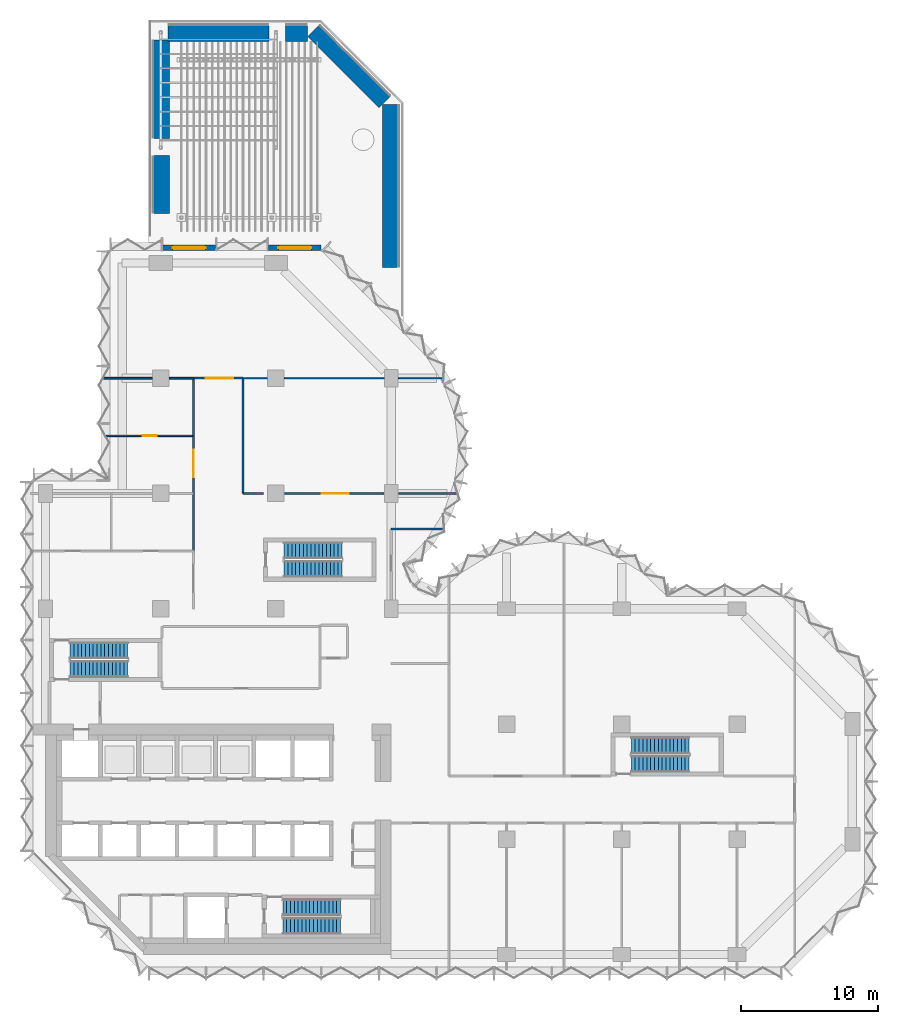
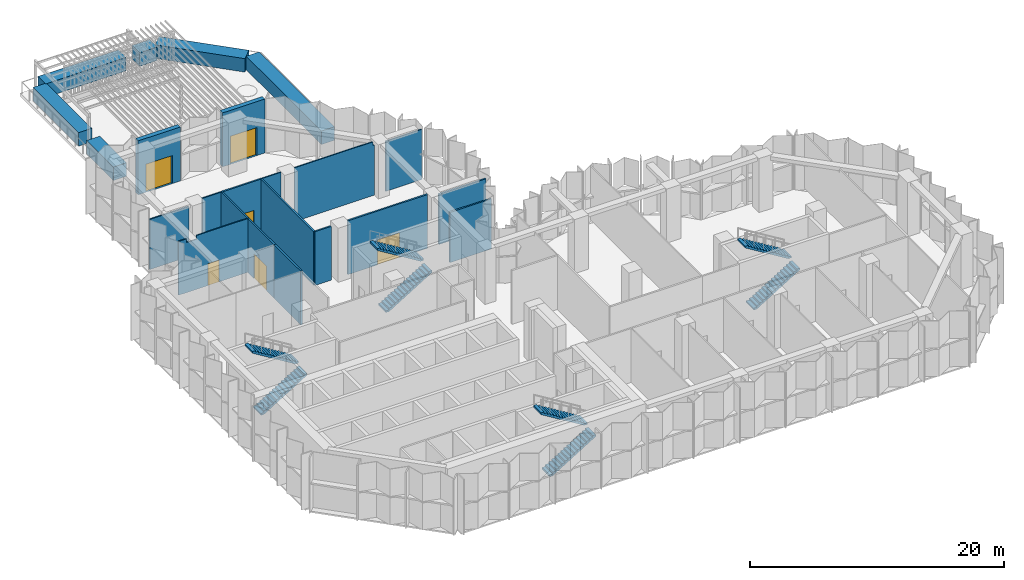
# One storey, part 11 of 15: 23 walls, 8 stair flights, 6 doors, 6 openings, 4 elements without a shape of their own.
"""IFC4 building model written with IfcOpenShell, lengths in metres."""

from ifc_helpers import new_model, si_unit, direction, frame, frame_2d, origin, place, context, subcontext, project, spatial, polyline, rectangle, outline, extrude, material, layer, layer_set, type_object, element, fill, aggregate, save


model = new_model("IFC4")

# Units and contexts
model_context = context("Model", 3, precision=1e-05, world=origin(), true_north=direction((0.0, 1.0)))
body_context = subcontext(model_context, "Body", "Model", "MODEL_VIEW")
ifc_project = project(units=[si_unit("LENGTHUNIT", "METRE"), si_unit("AREAUNIT", "SQUARE_METRE"), si_unit("VOLUMEUNIT", "CUBIC_METRE"), si_unit("PLANEANGLEUNIT", "RADIAN"), si_unit("MASSUNIT", "GRAM", prefix="KILO")], contexts=[model_context])

# Site, building, storey
site_placement = place(None, origin())
site = spatial("IfcSite", under=ifc_project, at=site_placement, CompositionType="ELEMENT")
building_placement = place(site_placement, origin())
building = spatial("IfcBuilding", under=site, at=building_placement, Name="Brevane Broadcast Tower", CompositionType="ELEMENT")
storey_placement = place(building_placement, frame((0.0, 0.0, 156.5)))
storey = spatial("IfcBuildingStorey", under=building, at=storey_placement, Name="L39", CompositionType="ELEMENT", Elevation=156.5)

# Wall, opening, door
ifc_material_1 = material(Name="Concrete C40/50", Category="concrete")
ifc_layer_1 = layer(ifc_material_1, 0.39990234375)
ifc_layer_set_1 = layer_set([ifc_layer_1], Name="Entrance portal wall 400")
wall_type_1 = type_object("IfcWallType", Name="Entrance portal wall 400", PredefinedType="SOLIDWALL", material=ifc_layer_set_1)
wall_1_placement = place(storey_placement, frame((16.25, 51.5, 0.0), z_axis=(0.0, 0.0, 1.0), x_axis=(1.0, 0.0, 0.0)))
wall_1 = element("IfcWall", 1, at=wall_1_placement, inside=storey, type_object=wall_type_1, Name="Portal wall terrace door", PredefinedType="SOLIDWALL", context=body_context, shape_type="SweptSolid", body=[
    extrude(rectangle(XDim=3.85009765625, YDim=0.39990234375, at=frame_2d((1.925048828125, 0.0))), origin(), (0.0, 0.0, 1.0), 5.199951171875),
])
opening_1_placement = place(wall_1_placement, frame((0.72509765625, 0.0, 0.0)))
opening_1 = element("IfcOpeningElement", 2, at=opening_1_placement, cuts=wall_1, Name="Opening EX13", PredefinedType="OPENING", context=body_context, shape_type="SweptSolid", body=[
    extrude(rectangle(XDim=2.39990234375, YDim=2.699951171875, at=frame_2d((1.199951171875, 1.35009765625))), frame((0.0, 0.2099609375, 0.0), z_axis=(0.0, -1.0, 0.0), x_axis=(1.0, 0.0, 0.0)), (0.0, 0.0, 1.0), 0.419921875),
])
ifc_material_2 = material(Name="Aluminium bronze anodised and laminated glass", Category="aluminium")
door_type_1 = type_object("IfcDoorType", Name="Terrace door 2400x2700", OperationType="DOUBLE_DOOR_SINGLE_SWING", PredefinedType="DOOR", material=ifc_material_2)
door_1_placement = place(opening_1_placement, origin())
door_1 = element("IfcDoor", 3, at=door_1_placement, inside=storey, type_object=door_type_1, Name="Terrace door", OperationType="DOUBLE_DOOR_SINGLE_SWING", OverallHeight=2.699951171875, OverallWidth=2.39990234375, PredefinedType="DOOR", context=body_context, shape_type="SweptSolid", body=[
    extrude(rectangle(XDim=2.39990234375, YDim=2.699951171875, at=frame_2d((1.199951171875, 1.35009765625))), frame((0.0, 0.02490234375, 0.0), z_axis=(0.0, -1.0, 0.0), x_axis=(1.0, 0.0, 0.0)), (0.0, 0.0, 1.0), 0.050048828125),
])
fill(opening_1, door_1)

wall_2_placement = place(storey_placement, frame((8.550048828125, 51.5, 0.0), z_axis=(0.0, 0.0, 1.0), x_axis=(1.0, 0.0, 0.0)))
wall_2 = element("IfcWall", 4, at=wall_2_placement, inside=storey, type_object=wall_type_1, Name="Portal wall terrace door", PredefinedType="SOLIDWALL", context=body_context, shape_type="SweptSolid", body=[
    extrude(rectangle(XDim=3.849853515625, YDim=0.39990234375, at=frame_2d((1.9248046875, 0.0))), origin(), (0.0, 0.0, 1.0), 5.199951171875),
])
opening_2_placement = place(wall_2_placement, frame((0.72509765625, 0.0, 0.0)))
opening_2 = element("IfcOpeningElement", 5, at=opening_2_placement, cuts=wall_2, Name="Opening EX14", PredefinedType="OPENING", context=body_context, shape_type="SweptSolid", body=[
    extrude(rectangle(XDim=2.39990234375, YDim=2.699951171875, at=frame_2d((1.199951171875, 1.35009765625))), frame((0.0, 0.2099609375, 0.0), z_axis=(0.0, -1.0, 0.0), x_axis=(1.0, 0.0, 0.0)), (0.0, 0.0, 1.0), 0.419921875),
])
door_2_placement = place(opening_2_placement, origin())
door_2 = element("IfcDoor", 6, at=door_2_placement, inside=storey, type_object=door_type_1, Name="Terrace door", OperationType="DOUBLE_DOOR_SINGLE_SWING", OverallHeight=2.699951171875, OverallWidth=2.39990234375, PredefinedType="DOOR", context=body_context, shape_type="SweptSolid", body=[
    extrude(rectangle(XDim=2.39990234375, YDim=2.699951171875, at=frame_2d((1.199951171875, 1.35009765625))), frame((0.0, 0.02490234375, 0.0), z_axis=(0.0, -1.0, 0.0), x_axis=(1.0, 0.0, 0.0)), (0.0, 0.0, 1.0), 0.050048828125),
])
fill(opening_2, door_2)

# Walls
ifc_material_3 = material(Name="Gypsum board partition")
ifc_layer_2 = layer(ifc_material_3, 0.10009765625)
ifc_layer_set_2 = layer_set([ifc_layer_2], Name="PARTITION 100 STUD")
wall_type_2 = type_object("IfcWallType", Name="PARTITION 100 STUD", PredefinedType="PARTITIONING", material=ifc_layer_set_2)
wall_3_placement = place(storey_placement, frame((29.011474609375, 42.0, 0.0), z_axis=(0.0, 0.0, 1.0), x_axis=(-1.0, 0.0, 0.0)))
element("IfcWall", 7, at=wall_3_placement, inside=storey, type_object=wall_type_2, Name="Partition S1-043", PredefinedType="PARTITIONING", context=body_context, shape_type="SweptSolid", body=[
    extrude(rectangle(XDim=3.29150390625, YDim=0.10009765625, at=frame_2d((1.645751953125, 0.0))), origin(), (0.0, 0.0, 1.0), 4.830078125),
])
wall_4_placement = place(storey_placement, frame((24.679931640625, 42.0, 0.0), z_axis=(0.0, 0.0, 1.0), x_axis=(-1.0, 0.0, 0.0)))
element("IfcWall", 8, at=wall_4_placement, inside=storey, type_object=wall_type_2, Name="Partition S1-044", PredefinedType="PARTITIONING", context=body_context, shape_type="SweptSolid", body=[
    extrude(outline(polyline([(0.0, 0.0), (7.260009765625, 0.0), (7.260009765625, 5.179931640625), (0.145751953125, 5.179931640625), (0.143798828125, 4.830078125), (0.0, 4.830078125), (0.0, 0.0)])), frame((0.0, 0.050048828125, 0.0), z_axis=(0.0, -1.0, 0.0), x_axis=(1.0, 0.0, 0.0)), (0.0, 0.0, 1.0), 0.10009765625),
])
wall_5_placement = place(storey_placement, frame((16.179931640625, 42.0, 0.0), z_axis=(0.0, 0.0, 1.0), x_axis=(-1.0, 0.0, 0.0)))
element("IfcWall", 9, at=wall_5_placement, inside=storey, type_object=wall_type_2, Name="Partition S1-045", PredefinedType="PARTITIONING", context=body_context, shape_type="SweptSolid", body=[
    extrude(rectangle(XDim=1.780029296875, YDim=0.10009765625, at=frame_2d((0.89013671875, 0.0))), origin(), (0.0, 0.0, 1.0), 5.179931640625),
])

# Wall, opening, door
wall_6_placement = place(storey_placement, frame((4.42138671875, 37.800048828125, 0.0), z_axis=(0.0, 0.0, 1.0), x_axis=(1.0, 0.0, 0.0)))
wall_6 = element("IfcWall", 10, at=wall_6_placement, inside=storey, type_object=wall_type_2, Name="Partition S1-053", PredefinedType="PARTITIONING", context=body_context, shape_type="SweptSolid", body=[
    extrude(outline(polyline([(0.0, 0.0), (6.378662109375, 0.0), (6.378662109375, 5.179931640625), (1.628662109375, 5.179931640625), (1.626708984375, 4.830078125), (0.730712890625, 4.830078125), (0.728515625, 5.179931640625), (0.07861328125, 5.179931640625), (0.0, 5.179931640625), (0.0, 0.0)])), frame((0.0, 0.050048828125, 0.0), z_axis=(0.0, -1.0, 0.0), x_axis=(1.0, 0.0, 0.0)), (0.0, 0.0, 1.0), 0.10009765625),
])
opening_3_placement = place(wall_6_placement, frame((2.6787109375, 0.0, 0.0)))
opening_3 = element("IfcOpeningElement", 11, at=opening_3_placement, cuts=wall_6, Name="Opening D19-017", PredefinedType="OPENING", context=body_context, shape_type="SweptSolid", body=[
    extrude(rectangle(XDim=1.0, YDim=2.10009765625, at=frame_2d((0.5, 1.050048828125))), frame((0.0, 0.06005859375, 0.0), z_axis=(0.0, -1.0, 0.0), x_axis=(1.0, 0.0, 0.0)), (0.0, 0.0, 1.0), 0.1201171875),
])
ifc_material_4 = material(Name="Timber door leaf", Category="wood")
door_type_2 = type_object("IfcDoorType", Name="DOOR SINGLE 1000 INTERNAL", OperationType="SINGLE_SWING_LEFT", PredefinedType="DOOR", material=ifc_material_4)
door_3_placement = place(opening_3_placement, origin())
door_3 = element("IfcDoor", 12, at=door_3_placement, inside=storey, type_object=door_type_2, Name="Door D19-017", OperationType="SINGLE_SWING_LEFT", OverallHeight=2.10009765625, OverallWidth=1.0, PredefinedType="DOOR", context=body_context, shape_type="SweptSolid", body=[
    extrude(rectangle(XDim=1.0, YDim=2.10009765625, at=frame_2d((0.5, 1.050048828125))), frame((0.0, 0.02490234375, 0.0), z_axis=(0.0, -1.0, 0.0), x_axis=(1.0, 0.0, 0.0)), (0.0, 0.0, 1.0), 0.050048828125),
])
fill(opening_3, door_3)

# Walls
ifc_layer_3 = layer(ifc_material_3, 0.125)
ifc_layer_set_3 = layer_set([ifc_layer_3], Name="PARTITION 125 ACOUSTIC")
wall_type_3 = type_object("IfcWallType", Name="PARTITION 125 ACOUSTIC", PredefinedType="PARTITIONING", material=ifc_layer_set_3)
wall_7_placement = place(storey_placement, frame((10.800048828125, 42.0, 0.0), z_axis=(0.0, 0.0, 1.0), x_axis=(-1.0, 0.0, 0.0)))
element("IfcWall", 13, at=wall_7_placement, inside=storey, type_object=wall_type_3, Name="Partition S1-041", PredefinedType="PARTITIONING", context=body_context, shape_type="SweptSolid", body=[
    extrude(rectangle(XDim=1.780029296875, YDim=0.125, at=frame_2d((0.89013671875, 0.0))), origin(), (0.0, 0.0, 1.0), 5.179931640625),
])
wall_8_placement = place(storey_placement, frame((7.780029296875, 42.0, 0.0), z_axis=(0.0, 0.0, 1.0), x_axis=(-1.0, 0.0, 0.0)))
element("IfcWall", 14, at=wall_8_placement, inside=storey, type_object=wall_type_3, Name="Partition S1-042", PredefinedType="PARTITIONING", context=body_context, shape_type="SweptSolid", body=[
    extrude(rectangle(XDim=3.540283203125, YDim=0.125, at=frame_2d((1.77001953125, 0.0))), origin(), (0.0, 0.0, 1.0), 4.830078125),
])
ifc_layer_4 = layer(ifc_material_3, 0.14990234375)
ifc_layer_set_4 = layer_set([ifc_layer_4], Name="PARTITION 150 EI 60")
wall_type_4 = type_object("IfcWallType", Name="PARTITION 150 EI 60", PredefinedType="PARTITIONING", material=ifc_layer_set_4)
wall_9_placement = place(storey_placement, frame((25.199951171875, 31.0, 0.0), z_axis=(0.0, 0.0, 1.0), x_axis=(1.0, 0.0, 0.0)))
element("IfcWall", 15, at=wall_9_placement, inside=storey, type_object=wall_type_4, Name="Partition S1-006", PredefinedType="PARTITIONING", context=body_context, shape_type="SweptSolid", body=[
    extrude(rectangle(XDim=3.8046875, YDim=0.14990234375, at=frame_2d((1.90234375, 0.0))), origin(), (0.0, 0.0, 1.0), 4.830078125),
])
wall_10_placement = place(storey_placement, frame((10.800048828125, 29.39990234375, 0.0), z_axis=(0.0, 0.0, 1.0), x_axis=(0.0, 1.0, 0.0)))
element("IfcWall", 16, at=wall_10_placement, inside=storey, type_object=wall_type_4, Name="Partition S1-033", PredefinedType="PARTITIONING", context=body_context, shape_type="SweptSolid", body=[
    extrude(rectangle(XDim=4.2001953125, YDim=0.14990234375, at=frame_2d((2.10009765625, 0.0))), origin(), (0.0, 0.0, 1.0), 5.179931640625),
])
wall_11_placement = place(storey_placement, frame((14.39990234375, 33.60009765625, 0.0), z_axis=(0.0, 0.0, 1.0), x_axis=(1.0, 0.0, 0.0)))
element("IfcWall", 17, at=wall_11_placement, inside=storey, type_object=wall_type_4, Name="Partition S1-034", PredefinedType="PARTITIONING", context=body_context, shape_type="SweptSolid", body=[
    extrude(rectangle(XDim=1.5, YDim=0.14990234375, at=frame_2d((0.75, 0.0))), origin(), (0.0, 0.0, 1.0), 5.179931640625),
])

# Wall, opening, door
wall_12_placement = place(storey_placement, frame((17.419921875, 33.60009765625, 0.0), z_axis=(0.0, 0.0, 1.0), x_axis=(1.0, 0.0, 0.0)))
wall_12 = element("IfcWall", 18, at=wall_12_placement, inside=storey, type_object=wall_type_4, Name="Partition S1-035", PredefinedType="PARTITIONING", context=body_context, shape_type="SweptSolid", body=[
    extrude(rectangle(XDim=7.260009765625, YDim=0.14990234375, at=frame_2d((3.6298828125, 0.0))), origin(), (0.0, 0.0, 1.0), 5.179931640625),
])
opening_4_placement = place(wall_12_placement, frame((2.699951171875, 0.0, 0.0)))
opening_4 = element("IfcOpeningElement", 19, at=opening_4_placement, cuts=wall_12, Name="Opening D19-018", PredefinedType="OPENING", context=body_context, shape_type="SweptSolid", body=[
    extrude(rectangle(XDim=2.0, YDim=2.39990234375, at=frame_2d((1.0, 1.199951171875))), frame((0.0, 0.0849609375, 0.0), z_axis=(0.0, -1.0, 0.0), x_axis=(1.0, 0.0, 0.0)), (0.0, 0.0, 1.0), 0.169921875),
])
ifc_material_5 = material(Name="Fire-rated timber door leaf", Category="wood")
door_type_3 = type_object("IfcDoorType", Name="DOOR DOUBLE 2000 FD30S", OperationType="DOUBLE_DOOR_SINGLE_SWING", PredefinedType="DOOR", material=ifc_material_5)
door_4_placement = place(opening_4_placement, origin())
door_4 = element("IfcDoor", 20, at=door_4_placement, inside=storey, type_object=door_type_3, Name="Door D19-018", OperationType="DOUBLE_DOOR_SINGLE_SWING", OverallHeight=2.39990234375, OverallWidth=2.0, PredefinedType="DOOR", context=body_context, shape_type="SweptSolid", body=[
    extrude(rectangle(XDim=2.0, YDim=2.39990234375, at=frame_2d((1.0, 1.199951171875))), frame((0.0, 0.02490234375, 0.0), z_axis=(0.0, -1.0, 0.0), x_axis=(1.0, 0.0, 0.0)), (0.0, 0.0, 1.0), 0.050048828125),
])
fill(opening_4, door_4)

# Wall
wall_13_placement = place(storey_placement, frame((25.719970703125, 33.60009765625, 0.0), z_axis=(0.0, 0.0, 1.0), x_axis=(1.0, 0.0, 0.0)))
element("IfcWall", 21, at=wall_13_placement, inside=storey, type_object=wall_type_4, Name="Partition S1-036", PredefinedType="PARTITIONING", context=body_context, shape_type="SweptSolid", body=[
    extrude(rectangle(XDim=4.264892578125, YDim=0.14990234375, at=frame_2d((2.13232421875, 0.0))), origin(), (0.0, 0.0, 1.0), 4.830078125),
])

# Wall, opening, door
wall_14_placement = place(storey_placement, frame((10.800048828125, 42.0, 0.0), z_axis=(0.0, 0.0, 1.0), x_axis=(1.0, 0.0, 0.0)))
wall_14 = element("IfcWall", 22, at=wall_14_placement, inside=storey, type_object=wall_type_4, Name="Partition S1-037", PredefinedType="PARTITIONING", context=body_context, shape_type="SweptSolid", body=[
    extrude(rectangle(XDim=3.599853515625, YDim=0.14990234375, at=frame_2d((1.7998046875, 0.0))), origin(), (0.0, 0.0, 1.0), 5.179931640625),
])
opening_5_placement = place(wall_14_placement, frame((0.89990234375, 0.0, 0.0)))
opening_5 = element("IfcOpeningElement", 23, at=opening_5_placement, cuts=wall_14, Name="Opening D19-012", PredefinedType="OPENING", context=body_context, shape_type="SweptSolid", body=[
    extrude(rectangle(XDim=2.0, YDim=2.39990234375, at=frame_2d((1.0, 1.199951171875))), frame((0.0, 0.0849609375, 0.0), z_axis=(0.0, -1.0, 0.0), x_axis=(1.0, 0.0, 0.0)), (0.0, 0.0, 1.0), 0.169921875),
])
door_5_placement = place(opening_5_placement, origin())
door_5 = element("IfcDoor", 24, at=door_5_placement, inside=storey, type_object=door_type_3, Name="Door D19-012", OperationType="DOUBLE_DOOR_SINGLE_SWING", OverallHeight=2.39990234375, OverallWidth=2.0, PredefinedType="DOOR", context=body_context, shape_type="SweptSolid", body=[
    extrude(rectangle(XDim=2.0, YDim=2.39990234375, at=frame_2d((1.0, 1.199951171875))), frame((0.0, 0.02490234375, 0.0), z_axis=(0.0, -1.0, 0.0), x_axis=(1.0, 0.0, 0.0)), (0.0, 0.0, 1.0), 0.050048828125),
])
fill(opening_5, door_5)

wall_15_placement = place(storey_placement, frame((10.800048828125, 33.60009765625, 0.0), z_axis=(0.0, 0.0, 1.0), x_axis=(0.0, 1.0, 0.0)))
wall_15 = element("IfcWall", 25, at=wall_15_placement, inside=storey, type_object=wall_type_4, Name="Partition S1-038", PredefinedType="PARTITIONING", context=body_context, shape_type="SweptSolid", body=[
    extrude(rectangle(XDim=4.199951171875, YDim=0.14990234375, at=frame_2d((2.10009765625, 0.0))), origin(), (0.0, 0.0, 1.0), 5.179931640625),
])
opening_6_placement = place(wall_15_placement, frame((1.199951171875, 0.0, 0.0)))
opening_6 = element("IfcOpeningElement", 26, at=opening_6_placement, cuts=wall_15, Name="Opening D19-016", PredefinedType="OPENING", context=body_context, shape_type="SweptSolid", body=[
    extrude(rectangle(XDim=2.0, YDim=2.39990234375, at=frame_2d((1.0, 1.199951171875))), frame((0.0, 0.0849609375, 0.0), z_axis=(0.0, -1.0, 0.0), x_axis=(1.0, 0.0, 0.0)), (0.0, 0.0, 1.0), 0.169921875),
])
door_6_placement = place(opening_6_placement, origin())
door_6 = element("IfcDoor", 27, at=door_6_placement, inside=storey, type_object=door_type_3, Name="Door D19-016", OperationType="DOUBLE_DOOR_SINGLE_SWING", OverallHeight=2.39990234375, OverallWidth=2.0, PredefinedType="DOOR", context=body_context, shape_type="SweptSolid", body=[
    extrude(rectangle(XDim=2.0, YDim=2.39990234375, at=frame_2d((1.0, 1.199951171875))), frame((0.0, 0.02490234375, 0.0), z_axis=(0.0, -1.0, 0.0), x_axis=(1.0, 0.0, 0.0)), (0.0, 0.0, 1.0), 0.050048828125),
])
fill(opening_6, door_6)

# Walls
wall_16_placement = place(storey_placement, frame((10.800048828125, 37.800048828125, 0.0), z_axis=(0.0, 0.0, 1.0), x_axis=(0.0, 1.0, 0.0)))
element("IfcWall", 28, at=wall_16_placement, inside=storey, type_object=wall_type_4, Name="Partition S1-039", PredefinedType="PARTITIONING", context=body_context, shape_type="SweptSolid", body=[
    extrude(rectangle(XDim=4.199951171875, YDim=0.14990234375, at=frame_2d((2.10009765625, 0.0))), origin(), (0.0, 0.0, 1.0), 5.179931640625),
])
wall_17_placement = place(storey_placement, frame((14.39990234375, 42.0, 0.0), z_axis=(0.0, 0.0, 1.0), x_axis=(0.0, -1.0, 0.0)))
element("IfcWall", 29, at=wall_17_placement, inside=storey, type_object=wall_type_4, Name="Partition S1-040", PredefinedType="PARTITIONING", context=body_context, shape_type="SweptSolid", body=[
    extrude(rectangle(XDim=8.39990234375, YDim=0.14990234375, at=frame_2d((4.199951171875, 0.0))), origin(), (0.0, 0.0, 1.0), 5.179931640625),
])
ifc_material_6 = material(Name="Concrete C30/37", Category="concrete")
ifc_layer_5 = layer(ifc_material_6, 1.199951171875)
ifc_layer_set_5 = layer_set([ifc_layer_5], Name="Planter wall 1200")
wall_type_5 = type_object("IfcWallType", Name="Planter wall 1200", PredefinedType="PARAPET", material=ifc_layer_set_5)
wall_18_placement = place(storey_placement, frame((25.14990234375, 50.069580078125, 0.0), z_axis=(0.0, 0.0, 1.0), x_axis=(0.0, 1.0, 0.0)))
element("IfcWall", 30, at=wall_18_placement, inside=storey, type_object=wall_type_5, Name="Planting bed L39-1", PredefinedType="PARAPET", context=body_context, shape_type="SweptSolid", body=[
    extrude(rectangle(XDim=11.885498046875, YDim=1.199951171875, at=frame_2d((5.94287109375, 0.0))), origin(), (0.0, 0.0, 1.0), 1.300048828125),
])
wall_19_placement = place(storey_placement, frame((24.7255859375, 62.130859375, 0.0), z_axis=(0.0, 0.0, 1.0), x_axis=(-0.707106781187, 0.707106781187, 0.0)))
element("IfcWall", 31, at=wall_19_placement, inside=storey, type_object=wall_type_5, Name="Planting bed L39-2", PredefinedType="PARAPET", context=body_context, shape_type="SweptSolid", body=[
    extrude(rectangle(XDim=7.3466796875, YDim=1.199951171875, at=frame_2d((3.67333984375, 0.0))), origin(), (0.0, 0.0, 1.0), 1.300048828125),
])
wall_20_placement = place(storey_placement, frame((19.1064453125, 67.14990234375, 0.0), z_axis=(0.0, 0.0, 1.0), x_axis=(-1.0, 0.0, 0.0)))
element("IfcWall", 32, at=wall_20_placement, inside=storey, type_object=wall_type_5, Name="Planting bed L39-3", PredefinedType="PARAPET", context=body_context, shape_type="SweptSolid", body=[
    extrude(rectangle(XDim=1.602294921875, YDim=1.199951171875, at=frame_2d((0.80126953125, 0.0))), origin(), (0.0, 0.0, 1.0), 1.300048828125),
])
wall_21_placement = place(storey_placement, frame((16.280517578125, 67.14990234375, 0.0), z_axis=(0.0, 0.0, 1.0), x_axis=(-1.0, 0.0, 0.0)))
element("IfcWall", 33, at=wall_21_placement, inside=storey, type_object=wall_type_5, Name="Planting bed L39-4", PredefinedType="PARAPET", context=body_context, shape_type="SweptSolid", body=[
    extrude(rectangle(XDim=7.341064453125, YDim=1.199951171875, at=frame_2d((3.67041015625, 0.0))), origin(), (0.0, 0.0, 1.0), 1.300048828125),
])
wall_22_placement = place(storey_placement, frame((8.449951171875, 66.6533203125, 0.0), z_axis=(0.0, 0.0, 1.0), x_axis=(0.0, -1.0, 0.0)))
element("IfcWall", 34, at=wall_22_placement, inside=storey, type_object=wall_type_5, Name="Planting bed L39-5", PredefinedType="PARAPET", context=body_context, shape_type="SweptSolid", body=[
    extrude(rectangle(XDim=7.20166015625, YDim=1.199951171875, at=frame_2d((3.600830078125, 0.0))), origin(), (0.0, 0.0, 1.0), 1.300048828125),
])
wall_23_placement = place(storey_placement, frame((8.449951171875, 58.2099609375, 0.0), z_axis=(0.0, 0.0, 1.0), x_axis=(0.0, -1.0, 0.0)))
element("IfcWall", 35, at=wall_23_placement, inside=storey, type_object=wall_type_5, Name="Planting bed L39-6", PredefinedType="PARAPET", context=body_context, shape_type="SweptSolid", body=[
    extrude(rectangle(XDim=4.2216796875, YDim=1.199951171875, at=frame_2d((2.11083984375, 0.0))), origin(), (0.0, 0.0, 1.0), 1.300048828125),
])

# Stair, stair flights
ifc_material_7 = material(Name="Concrete C50/60", Category="concrete")
stair_type = type_object("IfcStairType", Name="Exit stair 32 risers", PredefinedType="HALF_TURN_STAIR", material=ifc_material_7)
stair_1_placement = place(storey_placement, origin())
stair_1 = element("IfcStair", 36, at=stair_1_placement, inside=storey, type_object=stair_type, Name="L39 Exit stair ST-1", PredefinedType="HALF_TURN_STAIR")
stair_flight_type = type_object("IfcStairFlightType", Name="Exit stair flight 32 risers", PredefinedType="STRAIGHT", material=ifc_material_7)
stair_flight_1_placement = place(storey_placement, frame((1.800048828125, 20.800048828125, 0.0), z_axis=(0.0, 0.0, 1.0), x_axis=(1.0, 0.0, 0.0)))
stair_flight_1 = element("IfcStairFlight", 37, at=stair_flight_1_placement, type_object=stair_flight_type, Name="ST-1 flight 1", NumberOfRisers=16, NumberOfTreads=15, PredefinedType="STRAIGHT", RiserHeight=0.171875, TreadLength=0.28, context=body_context, shape_type="SweptSolid", body=[
    extrude(outline(polyline([(0.0, 0.0), (0.0, 0.171875), (0.280029296875, 0.171875), (0.280029296875, 0.34375), (0.56005859375, 0.34375), (0.56005859375, 0.515625), (0.840087890625, 0.515625), (0.840087890625, 0.6875), (1.1201171875, 0.6875), (1.1201171875, 0.859375), (1.39990234375, 0.859375), (1.39990234375, 1.03125), (1.679931640625, 1.03125), (1.679931640625, 1.203125), (1.9599609375, 1.203125), (1.9599609375, 1.375), (2.239990234375, 1.375), (2.239990234375, 1.546875), (2.52001953125, 1.546875), (2.52001953125, 1.71875), (2.800048828125, 1.71875), (2.800048828125, 1.890625), (3.080078125, 1.890625), (3.080078125, 2.0625), (3.360107421875, 2.0625), (3.360107421875, 2.234375), (3.639892578125, 2.234375), (3.639892578125, 2.40625), (3.919921875, 2.40625), (3.919921875, 2.578125), (4.199951171875, 2.578125), (4.199951171875, 2.75), (4.199951171875, 2.40234375), (0.28662109375, 0.0), (0.0, 0.0)])), frame((0.0, 0.60009765625, 0.0), z_axis=(0.0, -1.0, 0.0), x_axis=(1.0, 0.0, 0.0)), (0.0, 0.0, 1.0), 1.199951171875),
])
stair_flight_2_placement = place(storey_placement, frame((6.0, 22.14990234375, 2.75), z_axis=(0.0, 0.0, 1.0), x_axis=(-1.0, 0.0, 0.0)))
stair_flight_2 = element("IfcStairFlight", 38, at=stair_flight_2_placement, type_object=stair_flight_type, Name="ST-1 flight 2", NumberOfRisers=16, NumberOfTreads=15, PredefinedType="STRAIGHT", RiserHeight=0.171875, TreadLength=0.28, context=body_context, shape_type="SweptSolid", body=[
    extrude(outline(polyline([(0.0, 0.0), (0.0, 0.171875), (0.280029296875, 0.171875), (0.280029296875, 0.34375), (0.56005859375, 0.34375), (0.56005859375, 0.515625), (0.840087890625, 0.515625), (0.840087890625, 0.6875), (1.1201171875, 0.6875), (1.1201171875, 0.859375), (1.39990234375, 0.859375), (1.39990234375, 1.03125), (1.679931640625, 1.03125), (1.679931640625, 1.203125), (1.9599609375, 1.203125), (1.9599609375, 1.375), (2.239990234375, 1.375), (2.239990234375, 1.546875), (2.52001953125, 1.546875), (2.52001953125, 1.71875), (2.800048828125, 1.71875), (2.800048828125, 1.890625), (3.080078125, 1.890625), (3.080078125, 2.0625), (3.360107421875, 2.0625), (3.360107421875, 2.234375), (3.639892578125, 2.234375), (3.639892578125, 2.40625), (3.919921875, 2.40625), (3.919921875, 2.578125), (4.199951171875, 2.578125), (4.199951171875, 2.75), (4.199951171875, 2.40234375), (0.28662109375, 0.0), (0.0, 0.0)])), frame((0.0, 0.60009765625, 0.0), z_axis=(0.0, -1.0, 0.0), x_axis=(1.0, 0.0, 0.0)), (0.0, 0.0, 1.0), 1.199951171875),
])
aggregate(stair_1, [stair_flight_1, stair_flight_2])

stair_2_placement = place(storey_placement, origin())
stair_2 = element("IfcStair", 39, at=stair_2_placement, inside=storey, type_object=stair_type, Name="L39 Exit stair ST-2", PredefinedType="HALF_TURN_STAIR")
stair_flight_3_placement = place(storey_placement, frame((17.300048828125, 2.10009765625, 0.0), z_axis=(0.0, 0.0, 1.0), x_axis=(1.0, 0.0, 0.0)))
stair_flight_3 = element("IfcStairFlight", 40, at=stair_flight_3_placement, type_object=stair_flight_type, Name="ST-2 flight 1", NumberOfRisers=16, NumberOfTreads=15, PredefinedType="STRAIGHT", RiserHeight=0.171875, TreadLength=0.28, context=body_context, shape_type="SweptSolid", body=[
    extrude(outline(polyline([(0.0, 0.0), (0.0, 0.171875), (0.280029296875, 0.171875), (0.280029296875, 0.34375), (0.56005859375, 0.34375), (0.56005859375, 0.515625), (0.840087890625, 0.515625), (0.840087890625, 0.6875), (1.1201171875, 0.6875), (1.1201171875, 0.859375), (1.39990234375, 0.859375), (1.39990234375, 1.03125), (1.679931640625, 1.03125), (1.679931640625, 1.203125), (1.9599609375, 1.203125), (1.9599609375, 1.375), (2.239990234375, 1.375), (2.239990234375, 1.546875), (2.52001953125, 1.546875), (2.52001953125, 1.71875), (2.800048828125, 1.71875), (2.800048828125, 1.890625), (3.080078125, 1.890625), (3.080078125, 2.0625), (3.360107421875, 2.0625), (3.360107421875, 2.234375), (3.639892578125, 2.234375), (3.639892578125, 2.40625), (3.919921875, 2.40625), (3.919921875, 2.578125), (4.199951171875, 2.578125), (4.199951171875, 2.75), (4.199951171875, 2.40234375), (0.28662109375, 0.0), (0.0, 0.0)])), frame((0.0, 0.60009765625, 0.0), z_axis=(0.0, -1.0, 0.0), x_axis=(1.0, 0.0, 0.0)), (0.0, 0.0, 1.0), 1.199951171875),
])
stair_flight_4_placement = place(storey_placement, frame((21.5, 3.449951171875, 2.75), z_axis=(0.0, 0.0, 1.0), x_axis=(-1.0, 0.0, 0.0)))
stair_flight_4 = element("IfcStairFlight", 41, at=stair_flight_4_placement, type_object=stair_flight_type, Name="ST-2 flight 2", NumberOfRisers=16, NumberOfTreads=15, PredefinedType="STRAIGHT", RiserHeight=0.171875, TreadLength=0.28, context=body_context, shape_type="SweptSolid", body=[
    extrude(outline(polyline([(0.0, 0.0), (0.0, 0.171875), (0.280029296875, 0.171875), (0.280029296875, 0.34375), (0.56005859375, 0.34375), (0.56005859375, 0.515625), (0.840087890625, 0.515625), (0.840087890625, 0.6875), (1.1201171875, 0.6875), (1.1201171875, 0.859375), (1.39990234375, 0.859375), (1.39990234375, 1.03125), (1.679931640625, 1.03125), (1.679931640625, 1.203125), (1.9599609375, 1.203125), (1.9599609375, 1.375), (2.239990234375, 1.375), (2.239990234375, 1.546875), (2.52001953125, 1.546875), (2.52001953125, 1.71875), (2.800048828125, 1.71875), (2.800048828125, 1.890625), (3.080078125, 1.890625), (3.080078125, 2.0625), (3.360107421875, 2.0625), (3.360107421875, 2.234375), (3.639892578125, 2.234375), (3.639892578125, 2.40625), (3.919921875, 2.40625), (3.919921875, 2.578125), (4.199951171875, 2.578125), (4.199951171875, 2.75), (4.199951171875, 2.40234375), (0.28662109375, 0.0), (0.0, 0.0)])), frame((0.0, 0.60009765625, 0.0), z_axis=(0.0, -1.0, 0.0), x_axis=(1.0, 0.0, 0.0)), (0.0, 0.0, 1.0), 1.199951171875),
])
aggregate(stair_2, [stair_flight_3, stair_flight_4])

stair_3_placement = place(storey_placement, origin())
stair_3 = element("IfcStair", 42, at=stair_3_placement, inside=storey, type_object=stair_type, Name="L39 Exit stair ST-3", PredefinedType="HALF_TURN_STAIR")
stair_flight_5_placement = place(storey_placement, frame((17.39990234375, 28.10009765625, 0.0), z_axis=(0.0, 0.0, 1.0), x_axis=(1.0, 0.0, 0.0)))
stair_flight_5 = element("IfcStairFlight", 43, at=stair_flight_5_placement, type_object=stair_flight_type, Name="ST-3 flight 1", NumberOfRisers=16, NumberOfTreads=15, PredefinedType="STRAIGHT", RiserHeight=0.171875, TreadLength=0.28, context=body_context, shape_type="SweptSolid", body=[
    extrude(outline(polyline([(0.0, 0.0), (0.0, 0.171875), (0.280029296875, 0.171875), (0.280029296875, 0.34375), (0.56005859375, 0.34375), (0.56005859375, 0.515625), (0.840087890625, 0.515625), (0.840087890625, 0.6875), (1.1201171875, 0.6875), (1.1201171875, 0.859375), (1.39990234375, 0.859375), (1.39990234375, 1.03125), (1.679931640625, 1.03125), (1.679931640625, 1.203125), (1.9599609375, 1.203125), (1.9599609375, 1.375), (2.239990234375, 1.375), (2.239990234375, 1.546875), (2.52001953125, 1.546875), (2.52001953125, 1.71875), (2.800048828125, 1.71875), (2.800048828125, 1.890625), (3.080078125, 1.890625), (3.080078125, 2.0625), (3.360107421875, 2.0625), (3.360107421875, 2.234375), (3.639892578125, 2.234375), (3.639892578125, 2.40625), (3.919921875, 2.40625), (3.919921875, 2.578125), (4.199951171875, 2.578125), (4.199951171875, 2.75), (4.199951171875, 2.40234375), (0.28662109375, 0.0), (0.0, 0.0)])), frame((0.0, 0.60009765625, 0.0), z_axis=(0.0, -1.0, 0.0), x_axis=(1.0, 0.0, 0.0)), (0.0, 0.0, 1.0), 1.199951171875),
])
stair_flight_6_placement = place(storey_placement, frame((21.60009765625, 29.449951171875, 2.75), z_axis=(0.0, 0.0, 1.0), x_axis=(-1.0, 0.0, 0.0)))
stair_flight_6 = element("IfcStairFlight", 44, at=stair_flight_6_placement, type_object=stair_flight_type, Name="ST-3 flight 2", NumberOfRisers=16, NumberOfTreads=15, PredefinedType="STRAIGHT", RiserHeight=0.171875, TreadLength=0.28, context=body_context, shape_type="SweptSolid", body=[
    extrude(outline(polyline([(0.0, 0.0), (0.0, 0.171875), (0.280029296875, 0.171875), (0.280029296875, 0.34375), (0.56005859375, 0.34375), (0.56005859375, 0.515625), (0.840087890625, 0.515625), (0.840087890625, 0.6875), (1.1201171875, 0.6875), (1.1201171875, 0.859375), (1.39990234375, 0.859375), (1.39990234375, 1.03125), (1.679931640625, 1.03125), (1.679931640625, 1.203125), (1.9599609375, 1.203125), (1.9599609375, 1.375), (2.239990234375, 1.375), (2.239990234375, 1.546875), (2.52001953125, 1.546875), (2.52001953125, 1.71875), (2.800048828125, 1.71875), (2.800048828125, 1.890625), (3.080078125, 1.890625), (3.080078125, 2.0625), (3.360107421875, 2.0625), (3.360107421875, 2.234375), (3.639892578125, 2.234375), (3.639892578125, 2.40625), (3.919921875, 2.40625), (3.919921875, 2.578125), (4.199951171875, 2.578125), (4.199951171875, 2.75), (4.199951171875, 2.40234375), (0.28662109375, 0.0), (0.0, 0.0)])), frame((0.0, 0.60009765625, 0.0), z_axis=(0.0, -1.0, 0.0), x_axis=(1.0, 0.0, 0.0)), (0.0, 0.0, 1.0), 1.199951171875),
])
aggregate(stair_3, [stair_flight_5, stair_flight_6])

stair_4_placement = place(storey_placement, origin())
stair_4 = element("IfcStair", 45, at=stair_4_placement, inside=storey, type_object=stair_type, Name="L39 Exit stair ST-4", PredefinedType="HALF_TURN_STAIR")
stair_flight_7_placement = place(storey_placement, frame((42.699951171875, 13.89990234375, 0.0), z_axis=(0.0, 0.0, 1.0), x_axis=(1.0, 0.0, 0.0)))
stair_flight_7 = element("IfcStairFlight", 46, at=stair_flight_7_placement, type_object=stair_flight_type, Name="ST-4 flight 1", NumberOfRisers=16, NumberOfTreads=15, PredefinedType="STRAIGHT", RiserHeight=0.171875, TreadLength=0.28, context=body_context, shape_type="SweptSolid", body=[
    extrude(outline(polyline([(0.0, 0.0), (0.0, 0.171875), (0.280029296875, 0.171875), (0.280029296875, 0.34375), (0.56005859375, 0.34375), (0.56005859375, 0.515625), (0.840087890625, 0.515625), (0.840087890625, 0.6875), (1.1201171875, 0.6875), (1.1201171875, 0.859375), (1.39990234375, 0.859375), (1.39990234375, 1.03125), (1.679931640625, 1.03125), (1.679931640625, 1.203125), (1.9599609375, 1.203125), (1.9599609375, 1.375), (2.239990234375, 1.375), (2.239990234375, 1.546875), (2.52001953125, 1.546875), (2.52001953125, 1.71875), (2.800048828125, 1.71875), (2.800048828125, 1.890625), (3.080078125, 1.890625), (3.080078125, 2.0625), (3.360107421875, 2.0625), (3.360107421875, 2.234375), (3.639892578125, 2.234375), (3.639892578125, 2.40625), (3.919921875, 2.40625), (3.919921875, 2.578125), (4.199951171875, 2.578125), (4.199951171875, 2.75), (4.199951171875, 2.40234375), (0.28662109375, 0.0), (0.0, 0.0)])), frame((0.0, 0.60009765625, 0.0), z_axis=(0.0, -1.0, 0.0), x_axis=(1.0, 0.0, 0.0)), (0.0, 0.0, 1.0), 1.199951171875),
])
stair_flight_8_placement = place(storey_placement, frame((46.89990234375, 15.25, 2.75), z_axis=(0.0, 0.0, 1.0), x_axis=(-1.0, 0.0, 0.0)))
stair_flight_8 = element("IfcStairFlight", 47, at=stair_flight_8_placement, type_object=stair_flight_type, Name="ST-4 flight 2", NumberOfRisers=16, NumberOfTreads=15, PredefinedType="STRAIGHT", RiserHeight=0.171875, TreadLength=0.28, context=body_context, shape_type="SweptSolid", body=[
    extrude(outline(polyline([(0.0, 0.0), (0.0, 0.171875), (0.280029296875, 0.171875), (0.280029296875, 0.34375), (0.56005859375, 0.34375), (0.56005859375, 0.515625), (0.840087890625, 0.515625), (0.840087890625, 0.6875), (1.1201171875, 0.6875), (1.1201171875, 0.859375), (1.39990234375, 0.859375), (1.39990234375, 1.03125), (1.679931640625, 1.03125), (1.679931640625, 1.203125), (1.9599609375, 1.203125), (1.9599609375, 1.375), (2.239990234375, 1.375), (2.239990234375, 1.546875), (2.52001953125, 1.546875), (2.52001953125, 1.71875), (2.800048828125, 1.71875), (2.800048828125, 1.890625), (3.080078125, 1.890625), (3.080078125, 2.0625), (3.360107421875, 2.0625), (3.360107421875, 2.234375), (3.639892578125, 2.234375), (3.639892578125, 2.40625), (3.919921875, 2.40625), (3.919921875, 2.578125), (4.199951171875, 2.578125), (4.199951171875, 2.75), (4.199951171875, 2.40234375), (0.28662109375, 0.0), (0.0, 0.0)])), frame((0.0, 0.60009765625, 0.0), z_axis=(0.0, -1.0, 0.0), x_axis=(1.0, 0.0, 0.0)), (0.0, 0.0, 1.0), 1.199951171875),
])
aggregate(stair_4, [stair_flight_7, stair_flight_8])

save(model, "model.ifc")
